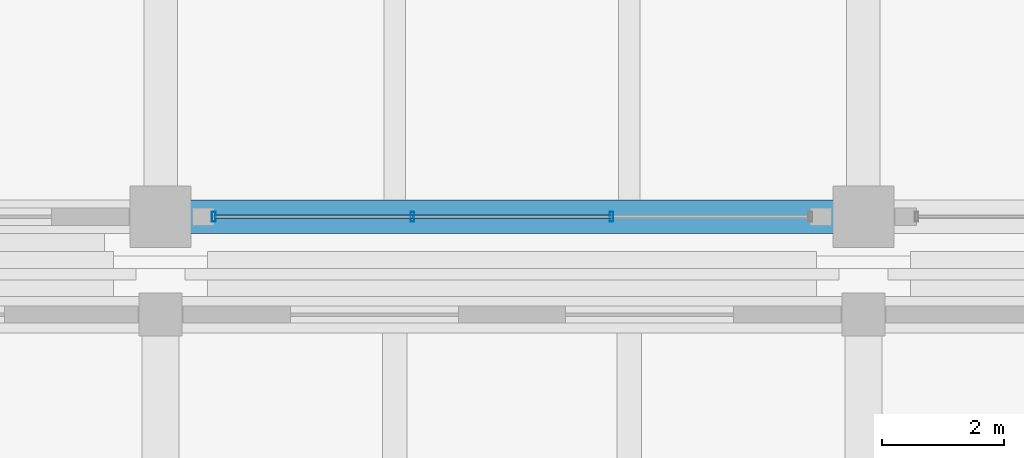
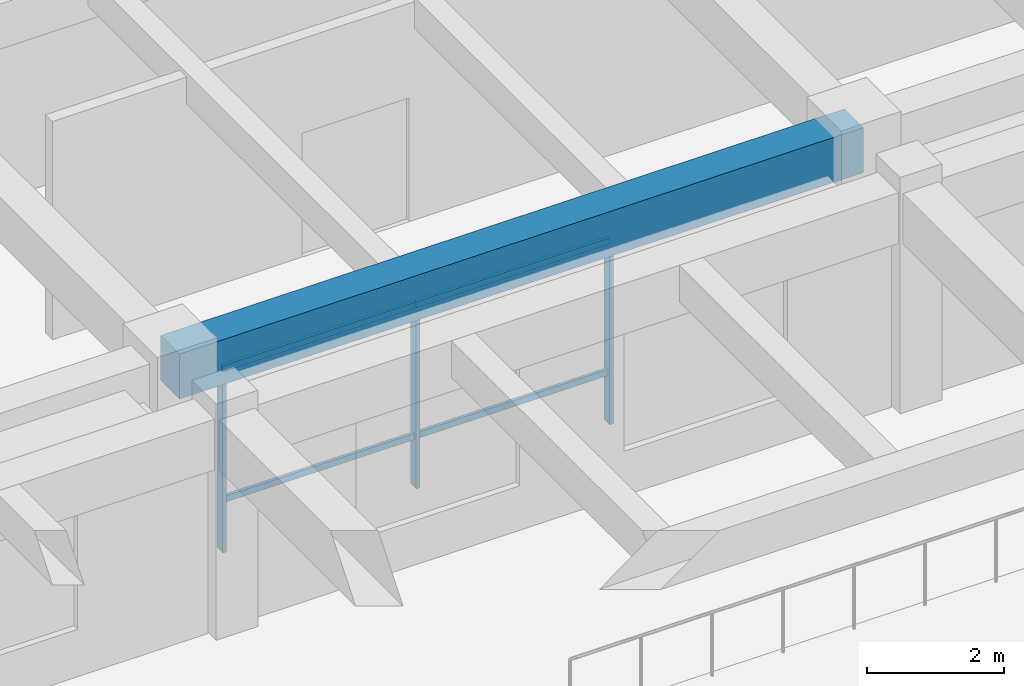
# One storey, part 26 of 109: 7 members, 1 beam, 1 element without a shape of its own.
"""IFC4 building model written with IfcOpenShell, lengths in metres."""

from ifc_helpers import new_model, si_unit, direction, frame, origin, origin_2d, place, context, subcontext, project, spatial, rectangle, hollow_rectangle, extrude, material, material_profile, profile_set, type_object, element, aggregate, save


model = new_model("IFC4")

# Units and contexts
model_context = context("Model", 3, precision=1e-05, world=origin(), true_north=direction((0.0, 1.0)))
body_context = subcontext(model_context, "Body", "Model", "MODEL_VIEW")
ifc_project = project(units=[si_unit("LENGTHUNIT", "METRE"), si_unit("AREAUNIT", "SQUARE_METRE"), si_unit("VOLUMEUNIT", "CUBIC_METRE"), si_unit("PLANEANGLEUNIT", "RADIAN"), si_unit("MASSUNIT", "GRAM", prefix="KILO")], contexts=[model_context])

# Site, building, storey
site_placement = place(None, origin())
site = spatial("IfcSite", under=ifc_project, at=site_placement, CompositionType="ELEMENT")
building_placement = place(site_placement, origin())
building = spatial("IfcBuilding", under=site, at=building_placement, Name="Ologun Quay Terminus", CompositionType="ELEMENT")
storey_placement = place(building_placement, origin())
storey = spatial("IfcBuildingStorey", under=building, at=storey_placement, Name="L00", CompositionType="ELEMENT", Elevation=0.0)

# Curtain wall, members
ifc_material_1 = material(Name="Aluminium 6063-T6", Category="aluminium")
curtain_wall_type = type_object("IfcCurtainWallType", Name="Waterfront Pavilion Harbour Curtain Wall L00 10500x3750", PredefinedType="USERDEFINED", material=ifc_material_1)
curtain_wall_placement = place(storey_placement, origin())
curtain_wall = element("IfcCurtainWall", 1, at=curtain_wall_placement, inside=storey, type_object=curtain_wall_type, Name="CW-22 Curtain Wall CW-L00-092", ObjectType="UNITISED CURTAIN WALL", PredefinedType="USERDEFINED")
ifc_material_2 = material(Name="Aluminium 6063-T6", Category="aluminium")
ifc_material_profile_1 = material_profile(ifc_material_2, hollow_rectangle(XDim=0.06005859375, YDim=0.159912109375, WallThickness=0.00390625, at=origin_2d()), Name="ALU 160x60x4")
ifc_profile_set_1 = profile_set([ifc_material_profile_1], Name="Aluminium 6063-T6")
member_type_1 = type_object("IfcMemberType", Name="Courtyard Screen Mullion 160x65", PredefinedType="MULLION", material=ifc_profile_set_1)
member_1_placement = place(storey_placement, frame((23.8701171875, 85.800048828125, 0.0), z_axis=(0.0, 0.0, 1.0), x_axis=(1.0, 0.0, 0.0)))
member_1 = element("IfcMember", 2, at=member_1_placement, type_object=member_type_1, Name="CW-L00-092 Mullion 1", PredefinedType="MULLION", context=body_context, shape_type="SweptSolid", body=[
    extrude(hollow_rectangle(XDim=0.06005859375, YDim=0.159912109375, WallThickness=0.00390625, at=origin_2d()), origin(), (0.0, 0.0, 1.0), 3.929931640625),
])
member_2_placement = place(storey_placement, frame((27.123291015625, 85.800048828125, 0.0), z_axis=(0.0, 0.0, 1.0), x_axis=(1.0, 0.0, 0.0)))
member_2 = element("IfcMember", 3, at=member_2_placement, type_object=member_type_1, Name="CW-L00-092 Mullion 2", PredefinedType="MULLION", context=body_context, shape_type="SweptSolid", body=[
    extrude(hollow_rectangle(XDim=0.06005859375, YDim=0.159912109375, WallThickness=0.00390625, at=origin_2d()), origin(), (0.0, 0.0, 1.0), 3.929931640625),
])
member_3_placement = place(storey_placement, frame((30.376708984375, 85.800048828125, 0.0), z_axis=(0.0, 0.0, 1.0), x_axis=(1.0, 0.0, 0.0)))
member_3 = element("IfcMember", 4, at=member_3_placement, type_object=member_type_1, Name="CW-L00-092 Mullion 3", PredefinedType="MULLION", context=body_context, shape_type="SweptSolid", body=[
    extrude(hollow_rectangle(XDim=0.06005859375, YDim=0.159912109375, WallThickness=0.00390625, at=origin_2d()), origin(), (0.0, 0.0, 1.0), 3.929931640625),
])
ifc_material_3 = material(Name="Aluminium 6063-T6", Category="aluminium")
ifc_material_profile_2 = material_profile(ifc_material_3, hollow_rectangle(XDim=0.054931640625, YDim=0.110107421875, WallThickness=0.00390625, at=origin_2d()), Name="ALU 110x55x4")
ifc_profile_set_2 = profile_set([ifc_material_profile_2], Name="Aluminium 6063-T6")
member_type_2 = type_object("IfcMemberType", Name="Courtyard Screen Transom 110x55", PredefinedType="USERDEFINED", material=ifc_profile_set_2)
member_4_placement = place(storey_placement, frame((23.8701171875, 85.800048828125, 0.89990234375), z_axis=(1.0, 0.0, 0.0), x_axis=(0.0, 1.0, 0.0)))
member_4 = element("IfcMember", 5, at=member_4_placement, type_object=member_type_2, Name="CW-L00-092 Transom B1-1", ObjectType="TRANSOM", PredefinedType="USERDEFINED", context=body_context, shape_type="SweptSolid", body=[
    extrude(hollow_rectangle(XDim=0.054931640625, YDim=0.110107421875, WallThickness=0.00390625, at=origin_2d()), origin(), (0.0, 0.0, 1.0), 3.253173828125),
])
member_5_placement = place(storey_placement, frame((23.8701171875, 85.800048828125, 3.22998046875), z_axis=(1.0, 0.0, 0.0), x_axis=(0.0, 1.0, 0.0)))
member_5 = element("IfcMember", 6, at=member_5_placement, type_object=member_type_2, Name="CW-L00-092 Transom B1-2", ObjectType="TRANSOM", PredefinedType="USERDEFINED", context=body_context, shape_type="SweptSolid", body=[
    extrude(hollow_rectangle(XDim=0.054931640625, YDim=0.110107421875, WallThickness=0.00390625, at=origin_2d()), origin(), (0.0, 0.0, 1.0), 3.253173828125),
])
member_6_placement = place(storey_placement, frame((27.123291015625, 85.800048828125, 0.89990234375), z_axis=(1.0, 0.0, 0.0), x_axis=(0.0, 1.0, 0.0)))
member_6 = element("IfcMember", 7, at=member_6_placement, type_object=member_type_2, Name="CW-L00-092 Transom B2-1", ObjectType="TRANSOM", PredefinedType="USERDEFINED", context=body_context, shape_type="SweptSolid", body=[
    extrude(hollow_rectangle(XDim=0.054931640625, YDim=0.110107421875, WallThickness=0.00390625, at=origin_2d()), origin(), (0.0, 0.0, 1.0), 3.25341796875),
])
member_7_placement = place(storey_placement, frame((27.123291015625, 85.800048828125, 3.22998046875), z_axis=(1.0, 0.0, 0.0), x_axis=(0.0, 1.0, 0.0)))
member_7 = element("IfcMember", 8, at=member_7_placement, type_object=member_type_2, Name="CW-L00-092 Transom B2-2", ObjectType="TRANSOM", PredefinedType="USERDEFINED", context=body_context, shape_type="SweptSolid", body=[
    extrude(hollow_rectangle(XDim=0.054931640625, YDim=0.110107421875, WallThickness=0.00390625, at=origin_2d()), origin(), (0.0, 0.0, 1.0), 3.25341796875),
])
aggregate(curtain_wall, [member_1, member_2, member_3, member_4, member_5, member_6, member_7])

# Beam
ifc_material_4 = material(Name="Concrete C40/50", Category="concrete")
ifc_material_profile_3 = material_profile(ifc_material_4, rectangle(XDim=0.550048828125, YDim=0.800048828125, at=origin_2d()), Name="RC 550x800")
ifc_profile_set_3 = profile_set([ifc_material_profile_3], Name="Concrete C40/50")
beam_type = type_object("IfcBeamType", Name="Courtyard Wing Primary Girder 550x800", PredefinedType="BEAM", material=ifc_profile_set_3)
beam_placement = place(storey_placement, frame((23.0, 85.800048828125, 3.550048828125), z_axis=(1.0, 0.0, 0.0), x_axis=(0.0, 1.0, 0.0)))
element("IfcBeam", 9, at=beam_placement, inside=storey, type_object=beam_type, Name="B4 Beam 3/G2 L00", PredefinedType="BEAM", context=body_context, shape_type="SweptSolid", body=[
    extrude(rectangle(XDim=0.550048828125, YDim=0.800048828125, at=origin_2d()), origin(), (0.0, 0.0, 1.0), 11.5),
])

save(model, "model.ifc")
